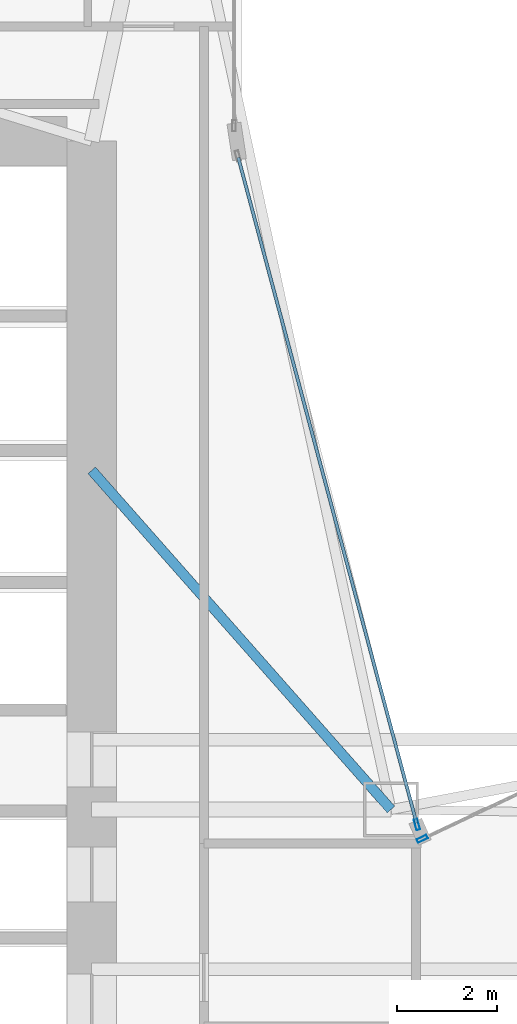
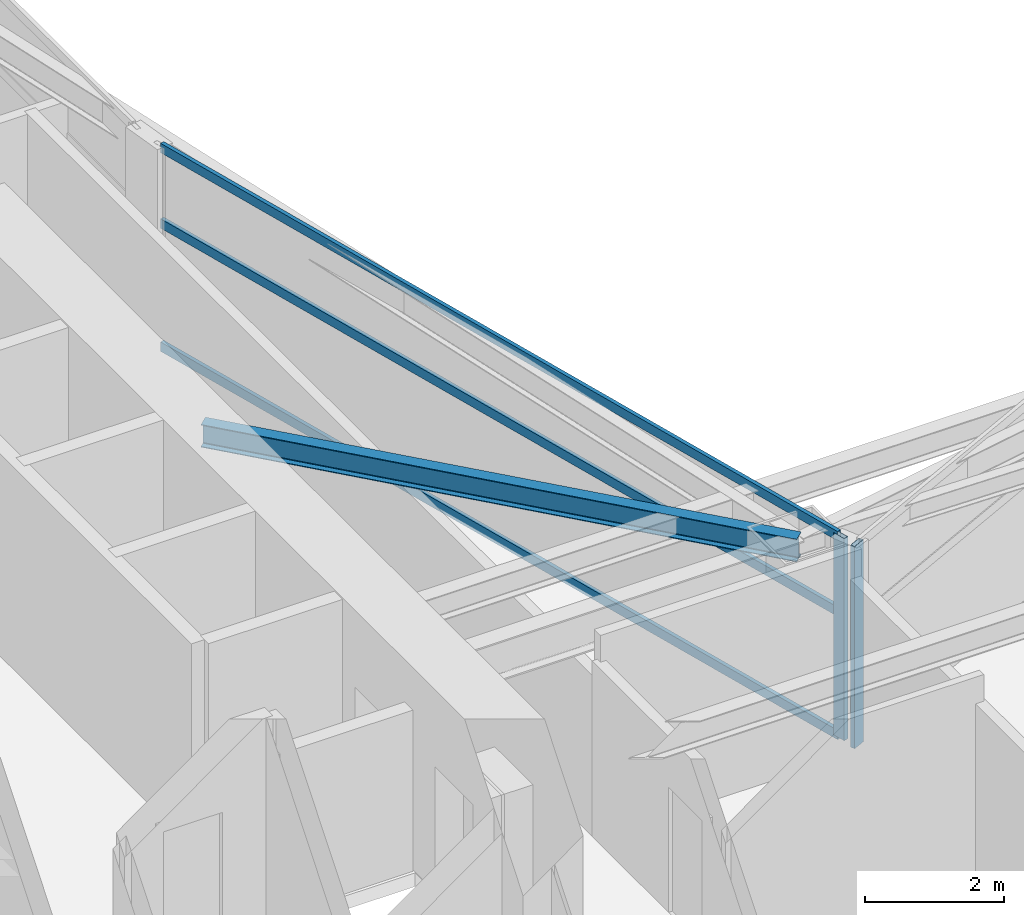
# One storey, part 10 of 29: 5 members, 1 beam, 2 elements without a shape of their own.
"""IFC4 building model written with IfcOpenShell, lengths in metres."""

from ifc_helpers import new_model, si_unit, direction, frame, origin, origin_2d, place, context, subcontext, project, spatial, hollow_rectangle, i_section, extrude, material, layer, layer_set, material_profile, profile_set, type_object, element, aggregate, save


model = new_model("IFC4")

# Units and contexts
model_context = context("Model", 3, precision=1e-05, world=origin(), true_north=direction((0.0, 1.0)))
body_context = subcontext(model_context, "Body", "Model", "MODEL_VIEW")
ifc_project = project(units=[si_unit("LENGTHUNIT", "METRE"), si_unit("AREAUNIT", "SQUARE_METRE"), si_unit("VOLUMEUNIT", "CUBIC_METRE"), si_unit("PLANEANGLEUNIT", "RADIAN"), si_unit("MASSUNIT", "GRAM", prefix="KILO")], contexts=[model_context])

# Site, building, storey
site_placement = place(None, origin())
site = spatial("IfcSite", under=ifc_project, at=site_placement, CompositionType="ELEMENT")
building_placement = place(site_placement, origin())
building = spatial("IfcBuilding", under=site, at=building_placement, Name="Calvorn Quay Hotel", CompositionType="ELEMENT")
storey_placement = place(building_placement, frame((0.0, 0.0, 62.199951171875)))
storey = spatial("IfcBuildingStorey", under=building, at=storey_placement, Name="L14", CompositionType="ELEMENT", Elevation=62.199951171875)

# Beam
ifc_material_1 = material(Name="Steel Q355B", Category="steel")
ifc_material_profile_1 = material_profile(ifc_material_1, i_section(OverallWidth=0.199951171875, OverallDepth=0.39990234375, WebThickness=0.008056640625, FlangeThickness=0.012939453125, FilletRadius=0.01611328125, at=origin_2d()), Name="HN400x200x8x13")
ifc_profile_set_1 = profile_set([ifc_material_profile_1], Name="Steel Q355B")
beam_type = type_object("IfcBeamType", Name="BM-JOIST-TYP", PredefinedType="JOIST", material=ifc_profile_set_1)
beam_placement = place(storey_placement, frame((15.0, 31.800048828125, 3.340087890625), z_axis=(0.661618965899, -0.749840212287, 0.0), x_axis=(0.749840212287, 0.661618965899, 0.0)))
element("IfcBeam", 1, at=beam_placement, inside=storey, type_object=beam_type, Name="Beam BJ-L14-C1", PredefinedType="JOIST", context=body_context, shape_type="SweptSolid", body=[
    extrude(i_section(OverallWidth=0.199951171875, OverallDepth=0.39990234375, WebThickness=0.008056640625, FlangeThickness=0.012939453125, FilletRadius=0.01611328125, at=origin_2d()), origin(), (0.0, 0.0, 1.0), 9.068603515625),
])

# Curtain wall, member
ifc_material_2 = material(Name="Pale Anodised Aluminium and Low-E Glass", Category="aluminium")
ifc_layer = layer(ifc_material_2, 0.219970703125)
ifc_layer_set = layer_set([ifc_layer], Name="CW-SYS-Z1")
curtain_wall_type = type_object("IfcCurtainWallType", Name="CW-SYS-Z1", PredefinedType="NOTDEFINED", material=ifc_layer_set)
curtain_wall_1_placement = place(storey_placement, origin())
curtain_wall_1 = element("IfcCurtainWall", 2, at=curtain_wall_1_placement, inside=storey, type_object=curtain_wall_type, Name="Inner Court Curtain Wall L14-NE1", PredefinedType="NOTDEFINED")
ifc_material_3 = material(Name="Pale Anodised Aluminium 6063-T6", Category="aluminium")
ifc_material_profile_2 = material_profile(ifc_material_3, hollow_rectangle(XDim=0.074951171875, YDim=0.219970703125, WallThickness=0.00439453125, at=origin_2d()), Name="ALU-M220x75x4.5")
ifc_profile_set_2 = profile_set([ifc_material_profile_2], Name="Pale Anodised Aluminium 6063-T6")
member_type_1 = type_object("IfcMemberType", Name="CW-SYS-Z1-MUL", PredefinedType="MULLION", material=ifc_profile_set_2)
member_1_placement = place(storey_placement, frame((21.627197265625, 24.412841796875, 0.0), z_axis=(0.0, 0.0, 1.0), x_axis=(0.427006305415, -0.904248646743, 0.0)))
member_1 = element("IfcMember", 3, at=member_1_placement, type_object=member_type_1, Name="CW-L14-NE1 mullion 4", PredefinedType="MULLION", context=body_context, shape_type="SweptSolid", body=[
    extrude(hollow_rectangle(XDim=0.074951171875, YDim=0.219970703125, WallThickness=0.00439453125, at=origin_2d()), origin(), (0.0, 0.0, 1.0), 3.56005859375),
])
aggregate(curtain_wall_1, [member_1])

# Curtain wall, members
curtain_wall_2_placement = place(storey_placement, origin())
curtain_wall_2 = element("IfcCurtainWall", 4, at=curtain_wall_2_placement, inside=storey, type_object=curtain_wall_type, Name="Inner Court Curtain Wall L14-IC1", PredefinedType="NOTDEFINED")
member_2_placement = place(storey_placement, frame((21.520263671875, 24.698974609375, 0.0), z_axis=(0.0, 0.0, 1.0), x_axis=(-0.96593652056, -0.25877913024, 0.0)))
member_2 = element("IfcMember", 5, at=member_2_placement, type_object=member_type_1, Name="CW-L14-IC1 mullion 1", PredefinedType="MULLION", context=body_context, shape_type="SweptSolid", body=[
    extrude(hollow_rectangle(XDim=0.074951171875, YDim=0.219970703125, WallThickness=0.00439453125, at=origin_2d()), origin(), (0.0, 0.0, 1.0), 3.56005859375),
])
ifc_material_4 = material(Name="Pale Anodised Aluminium 6063-T6", Category="aluminium")
ifc_material_profile_3 = material_profile(ifc_material_4, hollow_rectangle(XDim=0.06494140625, YDim=0.1650390625, WallThickness=0.00341796875, at=origin_2d()), Name="ALU-T165x65x3.5")
ifc_profile_set_3 = profile_set([ifc_material_profile_3], Name="Pale Anodised Aluminium 6063-T6")
member_type_2 = type_object("IfcMemberType", Name="CW-SYS-Z1-TRN", PredefinedType="USERDEFINED", material=ifc_profile_set_3)
member_3_placement = place(storey_placement, frame((21.512451171875, 24.72802734375, 0.030029296875), z_axis=(-0.258781136883, 0.965935982969, 0.0), x_axis=(-0.965935982969, -0.258781136883, 0.0)))
member_3 = element("IfcMember", 6, at=member_3_placement, type_object=member_type_2, Name="CW-L14-IC1 transom 1.1", ObjectType="TRANSOM", PredefinedType="USERDEFINED", context=body_context, shape_type="SweptSolid", body=[
    extrude(hollow_rectangle(XDim=0.06494140625, YDim=0.1650390625, WallThickness=0.00341796875, at=origin_2d()), origin(), (0.0, 0.0, 1.0), 13.814453125),
])
member_4_placement = place(storey_placement, frame((21.512451171875, 24.72802734375, 2.199951171875), z_axis=(-0.258781136883, 0.965935982969, 0.0), x_axis=(-0.965935982969, -0.258781136883, 0.0)))
member_4 = element("IfcMember", 7, at=member_4_placement, type_object=member_type_2, Name="CW-L14-IC1 transom 1.2", ObjectType="TRANSOM", PredefinedType="USERDEFINED", context=body_context, shape_type="SweptSolid", body=[
    extrude(hollow_rectangle(XDim=0.06494140625, YDim=0.1650390625, WallThickness=0.00341796875, at=origin_2d()), origin(), (0.0, 0.0, 1.0), 13.814453125),
])
member_5_placement = place(storey_placement, frame((21.512451171875, 24.72802734375, 3.530029296875), z_axis=(-0.258781136883, 0.965935982969, 0.0), x_axis=(-0.965935982969, -0.258781136883, 0.0)))
member_5 = element("IfcMember", 8, at=member_5_placement, type_object=member_type_2, Name="CW-L14-IC1 transom 1.3", ObjectType="TRANSOM", PredefinedType="USERDEFINED", context=body_context, shape_type="SweptSolid", body=[
    extrude(hollow_rectangle(XDim=0.06494140625, YDim=0.1650390625, WallThickness=0.00341796875, at=origin_2d()), origin(), (0.0, 0.0, 1.0), 13.814453125),
])
aggregate(curtain_wall_2, [member_2, member_3, member_4, member_5])

save(model, "model.ifc")
